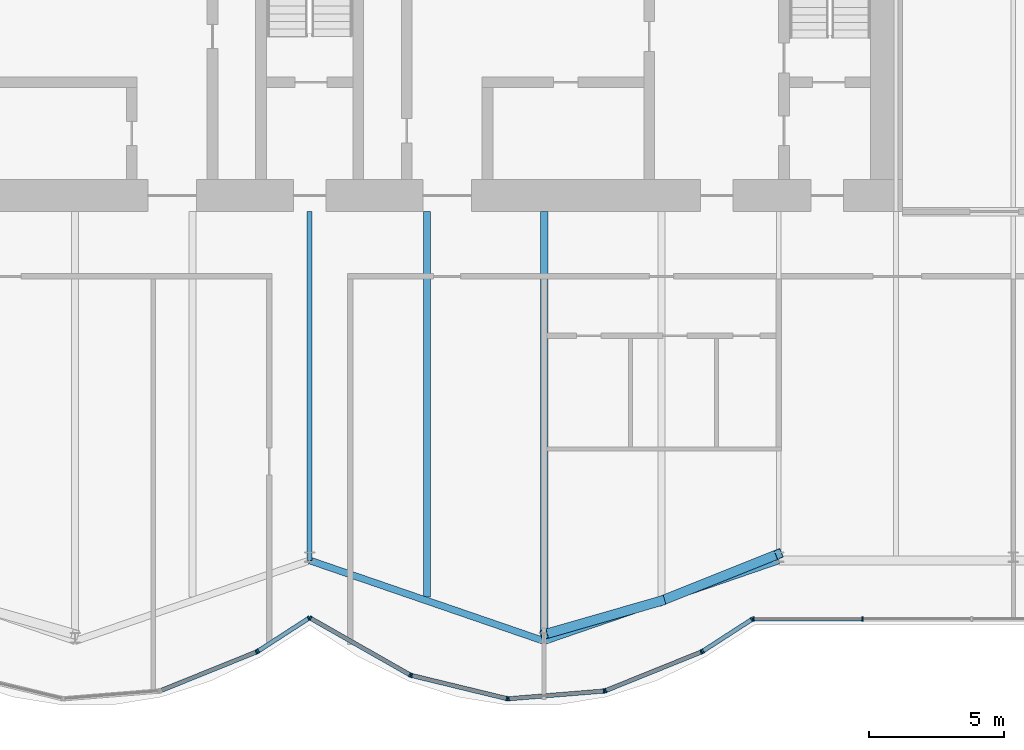
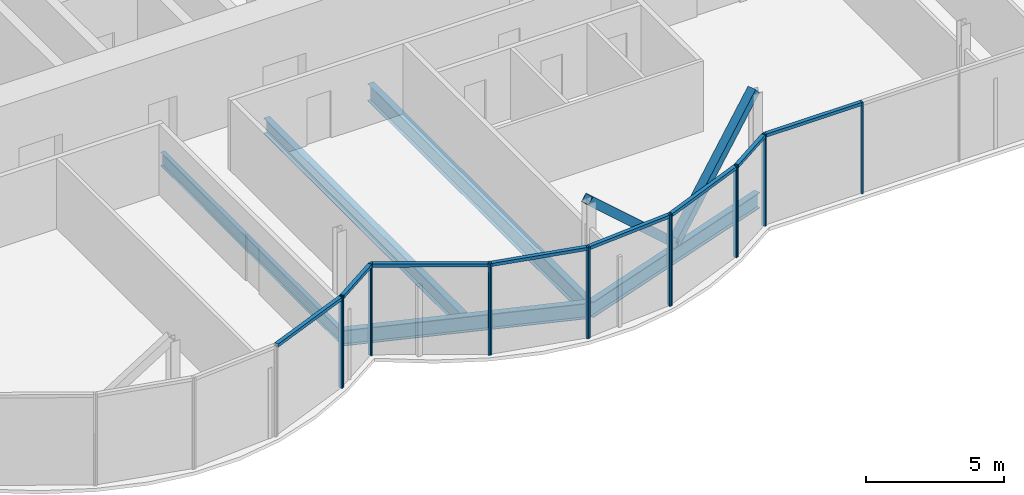
# One storey, part 8 of 19: 25 members, 5 beams, 3 elements without a shape of their own.
"""IFC4 building model written with IfcOpenShell, lengths in metres."""

import ifcopenshell
import ifcopenshell.guid

model = None  # the IFC model being written
_history = None  # IfcOwnerHistory: only IFC2X3 demands one
_inside = {}  # id of a spatial element -> (the spatial element, [elements in it])
_under = {}  # id of a project, library or spatial element -> (it, [spatial elements below it])
_declared = {}  # id of a project -> (the project, [libraries it declares])
_typed = {}  # id of a type object -> (the type object, [elements of that type])
_made_of = {}  # id of a material, layer set ... -> (it, [elements and type objects made of it])


def new_model(schema):
    """Start an empty IFC model of exactly this schema.

    Asked for "IFC4X3", IfcOpenShell would pick the latest addendum, in which some entities
    have other attributes; the version numbers below select the first issue.
    IFC2X3 requires an IfcOwnerHistory on every rooted entity: one is made here for all.
    """
    global model, _history
    if schema == "IFC4X3":
        model = ifcopenshell.file(schema_version=(4, 3, 0, 0))
    else:
        model = ifcopenshell.file(schema=schema)
    _inside.clear()
    _under.clear()
    _declared.clear()
    _typed.clear()
    _made_of.clear()
    _history = None
    if model.schema == "IFC2X3":
        org = make("IfcOrganization", Name="unknown")
        user = make(
            "IfcPersonAndOrganization",
            ThePerson=make("IfcPerson", FamilyName="unknown"),
            TheOrganization=org,
        )
        app = make(
            "IfcApplication",
            ApplicationDeveloper=org,
            Version="unknown",
            ApplicationFullName="unknown",
            ApplicationIdentifier="unknown",
        )
        _history = make(
            "IfcOwnerHistory",
            OwningUser=user,
            OwningApplication=app,
            ChangeAction="ADDED",
            CreationDate=0,
        )
    return model


def make(cls, **values):
    """One entity of the class cls with the attributes given. An attribute that is None is left unset."""
    return model.create_entity(
        cls, **{name: value for name, value in values.items() if value is not None}
    )


def rooted(cls, **values):
    """An entity with a GlobalId (a new one), such as an element, a storey or a relation."""
    return make(cls, GlobalId=ifcopenshell.guid.new(), OwnerHistory=_history, **values)


def si_unit(unit_type, name, prefix=None):
    """IfcSIUnit, for example si_unit("LENGTHUNIT", "METRE", prefix="MILLI")."""
    return make("IfcSIUnit", UnitType=unit_type, Prefix=prefix, Name=name)


def assignment(units):
    """IfcUnitAssignment: the units of a project."""
    return None if units is None else make("IfcUnitAssignment", Units=units)


def point(xyz):
    """IfcCartesianPoint."""
    return None if xyz is None else make("IfcCartesianPoint", Coordinates=xyz)


def direction(xyz):
    """IfcDirection."""
    return None if xyz is None else make("IfcDirection", DirectionRatios=xyz)


def frame(location, z_axis=None, x_axis=None):
    """IfcAxis2Placement3D, a coordinate frame: its origin and axes. An axis left out is left unset."""
    return make(
        "IfcAxis2Placement3D",
        Location=point(location),
        Axis=direction(z_axis),
        RefDirection=direction(x_axis),
    )


def frame_2d(location, x_axis=None):
    """IfcAxis2Placement2D, a coordinate frame in the plane: its origin and x axis."""
    return make(
        "IfcAxis2Placement2D", Location=point(location), RefDirection=direction(x_axis)
    )


def origin():
    """The frame at (0, 0, 0) with its axes left unset."""
    return frame((0.0, 0.0, 0.0))


def origin_2d():
    """The frame at (0, 0) in the plane with its x axis left unset."""
    return frame_2d((0.0, 0.0))


def place(relative_to, where):
    """IfcLocalPlacement: puts the frame where relative to a parent placement (None: the world)."""
    return make(
        "IfcLocalPlacement", PlacementRelTo=relative_to, RelativePlacement=where
    )


def context(
    kind, dimensions, precision=None, world=None, true_north=None, identifier=None
):
    """IfcGeometricRepresentationContext, for example the 3D "Model" context."""
    return make(
        "IfcGeometricRepresentationContext",
        ContextIdentifier=identifier,
        ContextType=kind,
        CoordinateSpaceDimension=dimensions,
        Precision=precision,
        WorldCoordinateSystem=world,
        TrueNorth=true_north,
    )


def subcontext(parent, identifier, kind, view, scale=None):
    """IfcGeometricRepresentationSubContext, for example "Body" below "Model"."""
    return make(
        "IfcGeometricRepresentationSubContext",
        ContextIdentifier=identifier,
        ContextType=kind,
        ParentContext=parent,
        TargetScale=scale,
        TargetView=view,
    )


def project(units=None, contexts=None):
    """IfcProject with its units and contexts."""
    return rooted(
        "IfcProject",
        Name="project",
        RepresentationContexts=contexts,
        UnitsInContext=assignment(units),
    )


def spatial(cls, under=None, at=None, **own):
    """A site, building, storey or space (cls), placed at a placement, below another one or the project."""
    s = rooted(cls, ObjectPlacement=at, **own)
    if under is not None:
        _under.setdefault(under.id(), (under, []))[1].append(s)
    return s


def profile(cls, at=None, kind="AREA", **sizes):
    """A parametric profile (cls). Its sizes go by their IFC names, for example OverallWidth=200.0."""
    return make(cls, ProfileType=kind, Position=at, **sizes)


def rectangle(**sizes):
    """IfcRectangleProfileDef."""
    return profile("IfcRectangleProfileDef", **sizes)


def hollow_rectangle(**sizes):
    """IfcRectangleHollowProfileDef."""
    return profile("IfcRectangleHollowProfileDef", **sizes)


def i_section(**sizes):
    """IfcIShapeProfileDef."""
    return profile("IfcIShapeProfileDef", **sizes)


def extrude(swept, where, along, depth):
    """IfcExtrudedAreaSolid: the profile swept, set in the frame where, extruded along a direction by depth."""
    return make(
        "IfcExtrudedAreaSolid",
        SweptArea=swept,
        Position=where,
        ExtrudedDirection=direction(along),
        Depth=depth,
    )


def shape(context_of_items, identifier, shape_type, items):
    """IfcShapeRepresentation: the items that make up one representation, for example the "Body"."""
    return make(
        "IfcShapeRepresentation",
        ContextOfItems=context_of_items,
        RepresentationIdentifier=identifier,
        RepresentationType=shape_type,
        Items=items,
    )


def material(Name=None, Category=None):
    """IfcMaterial."""
    return make("IfcMaterial", Name=Name, Category=Category)


def material_profile(
    of_material, cross_section, Name=None, Category=None, Priority=None
):
    """IfcMaterialProfile: a cross section and its material."""
    return make(
        "IfcMaterialProfile",
        Name=Name,
        Material=of_material,
        Profile=cross_section,
        Priority=Priority,
        Category=Category,
    )


def profile_set(profiles, Name=None, composite=None):
    """IfcMaterialProfileSet."""
    return make(
        "IfcMaterialProfileSet",
        Name=Name,
        MaterialProfiles=profiles,
        CompositeProfile=composite,
    )


def made_of(thing, what):
    """Note that an element or type object is made of a material, layer set ...; save() writes the relation."""
    if what is not None:
        _made_of.setdefault(what.id(), (what, []))[1].append(thing)
    return thing


def type_object(cls, material=None, **own):
    """A type object (cls), such as IfcWallType, which elements share."""
    return made_of(rooted(cls, **own), material)


def element(
    cls,
    number,
    at=None,
    inside=None,
    cuts=None,
    type_object=None,
    material=None,
    context=None,
    identifier="Body",
    shape_type=None,
    held_by="IfcProductDefinitionShape",
    body=None,
    shapes=None,
    **own,
):
    """One element of the class cls, such as IfcWall. Its Tag is "e" and its number.

    at: its placement. inside: the storey or other place that contains it. cuts: it is an
    opening in that element (IfcRelVoidsElement). A single representation is given by context,
    identifier, shape_type and body (its items); several are given by shapes. held_by: the class
    of the entity that holds the representations. save() writes the other relations.
    """
    e = rooted(cls, Tag="e%d" % number, ObjectPlacement=at, **own)
    if body is not None:
        shapes = [shape(context, identifier, shape_type, body)]
    if shapes is not None:
        e.Representation = make(held_by, Representations=shapes)
    if inside is not None:
        _inside.setdefault(inside.id(), (inside, []))[1].append(e)
    if cuts is not None:
        rooted(
            "IfcRelVoidsElement", RelatingBuildingElement=cuts, RelatedOpeningElement=e
        )
    if type_object is not None:
        _typed.setdefault(type_object.id(), (type_object, []))[1].append(e)
    return made_of(e, material)


def aggregate(whole, parts):
    """IfcRelAggregates: a whole, such as a stair, and the parts it consists of."""
    return rooted("IfcRelAggregates", RelatingObject=whole, RelatedObjects=parts)


def save(model, path):
    """Write the relations noted so far, then the file.

    IfcRelAggregates (storeys below a building ...), IfcRelContainedInSpatialStructure (elements
    in a storey), IfcRelDefinesByType, IfcRelAssociatesMaterial and IfcRelDeclares: one each for
    every whole, place, type object, material and project.
    """
    for whole, parts in _under.values():
        aggregate(whole, parts)
    for where, things in _inside.values():
        rooted(
            "IfcRelContainedInSpatialStructure",
            RelatedElements=things,
            RelatingStructure=where,
        )
    for kind, things in _typed.values():
        rooted("IfcRelDefinesByType", RelatedObjects=things, RelatingType=kind)
    for what, things in _made_of.values():
        rooted("IfcRelAssociatesMaterial", RelatedObjects=things, RelatingMaterial=what)
    for by, libraries in _declared.values():
        rooted("IfcRelDeclares", RelatingContext=by, RelatedDefinitions=libraries)
    model.write(path)


model = new_model("IFC4")

# Units and contexts
model_context = context("Model", 3, precision=1e-05, world=origin(), true_north=direction((0.0, 1.0)))
body_context = subcontext(model_context, "Body", "Model", "MODEL_VIEW")
ifc_project = project(units=[si_unit("LENGTHUNIT", "METRE"), si_unit("AREAUNIT", "SQUARE_METRE"), si_unit("VOLUMEUNIT", "CUBIC_METRE"), si_unit("PLANEANGLEUNIT", "RADIAN"), si_unit("MASSUNIT", "GRAM", prefix="KILO")], contexts=[model_context])

# Site, building, storey
site_placement = place(None, origin())
site = spatial("IfcSite", under=ifc_project, at=site_placement, CompositionType="ELEMENT")
building_placement = place(site_placement, origin())
building = spatial("IfcBuilding", under=site, at=building_placement, Name="Bicima Exchange Tower", CompositionType="ELEMENT")
storey_placement = place(building_placement, frame((0.0, 0.0, 275.0)))
storey = spatial("IfcBuildingStorey", under=building, at=storey_placement, Name="L62", CompositionType="ELEMENT", Elevation=275.0)

# Beams
ifc_material_1 = material(Name="Steel ASTM A992 Gr 50", Category="steel")
ifc_material_profile_1 = material_profile(ifc_material_1, i_section(OverallWidth=0.177978515625, OverallDepth=0.599365234375, WebThickness=0.010009765625, FlangeThickness=0.012939453125, at=origin_2d()))
ifc_profile_set_1 = profile_set([ifc_material_profile_1], Name="Steel ASTM A992 Gr 50")
beam_type_1 = type_object("IfcBeamType", Name="Floor beam W24x55", PredefinedType="JOIST", material=ifc_profile_set_1)
beam_1_placement = place(storey_placement, frame((0.0, -13.0, -0.44970703125), z_axis=(0.0, -1.0, 0.0), x_axis=(1.0, 0.0, 0.0)))
element("IfcBeam", 1, at=beam_1_placement, inside=storey, type_object=beam_type_1, Name="Floor beam", PredefinedType="JOIST", context=body_context, shape_type="SweptSolid", body=[
    extrude(i_section(OverallWidth=0.177978515625, OverallDepth=0.599365234375, WebThickness=0.010009765625, FlangeThickness=0.012939453125, at=origin_2d()), origin(), (0.0, 0.0, 1.0), 12.93603515625),
])
ifc_material_profile_2 = material_profile(ifc_material_1, i_section(OverallWidth=0.25390625, OverallDepth=0.67822265625, WebThickness=0.01171875, FlangeThickness=0.016357421875, at=origin_2d()))
ifc_profile_set_2 = profile_set([ifc_material_profile_2], Name="Steel ASTM A992 Gr 50")
beam_type_2 = type_object("IfcBeamType", Name="Floor beam W27x84", PredefinedType="JOIST", material=ifc_profile_set_2)
beam_2_placement = place(storey_placement, frame((4.35009765625, -13.0, -0.489013671875), z_axis=(0.0, -1.0, 0.0), x_axis=(1.0, 0.0, 0.0)))
element("IfcBeam", 2, at=beam_2_placement, inside=storey, type_object=beam_type_2, Name="Floor beam", PredefinedType="JOIST", context=body_context, shape_type="SweptSolid", body=[
    extrude(i_section(OverallWidth=0.25390625, OverallDepth=0.67822265625, WebThickness=0.01171875, FlangeThickness=0.016357421875, at=origin_2d()), origin(), (0.0, 0.0, 1.0), 14.2958984375),
])
ifc_material_profile_3 = material_profile(ifc_material_1, i_section(OverallWidth=0.2666015625, OverallDepth=0.75439453125, WebThickness=0.01318359375, FlangeThickness=0.01708984375, at=origin_2d()))
ifc_profile_set_3 = profile_set([ifc_material_profile_3], Name="Steel ASTM A992 Gr 50")
beam_type_3 = type_object("IfcBeamType", Name="Floor beam W30x99", PredefinedType="JOIST", material=ifc_profile_set_3)
beam_3_placement = place(storey_placement, frame((8.699951171875, -13.0, -0.527099609375), z_axis=(0.0, -1.0, 0.0), x_axis=(1.0, 0.0, 0.0)))
element("IfcBeam", 3, at=beam_3_placement, inside=storey, type_object=beam_type_3, Name="Floor beam", PredefinedType="JOIST", context=body_context, shape_type="SweptSolid", body=[
    extrude(i_section(OverallWidth=0.2666015625, OverallDepth=0.75439453125, WebThickness=0.01318359375, FlangeThickness=0.01708984375, at=origin_2d()), origin(), (0.0, 0.0, 1.0), 15.79150390625),
])
ifc_material_profile_4 = material_profile(ifc_material_1, i_section(OverallWidth=0.256591796875, OverallDepth=0.693359375, WebThickness=0.014404296875, FlangeThickness=0.023681640625, at=origin_2d()))
ifc_profile_set_4 = profile_set([ifc_material_profile_4], Name="Steel ASTM A992 Gr 50")
beam_type_4 = type_object("IfcBeamType", Name="Front girder W27x114", PredefinedType="BEAM", material=ifc_profile_set_4)
for number, where, z_axis, x_axis, name in (
    (4, (0.0, -25.93603515625, -0.49658203125), (0.945674616091, -0.32511462668, 0.0), (0.32511462668, 0.945674616091, 0.0), "Front girder"),
    (5, (8.699951171875, -28.927001953125, -0.49658203125), (0.945674616091, 0.32511462668, 0.0), (-0.32511462668, 0.945674616091, 0.0), "Front girder"),
):
    element("IfcBeam", number, at=place(storey_placement, frame(where, z_axis=z_axis, x_axis=x_axis)), inside=storey, type_object=beam_type_4, Name=name, PredefinedType="BEAM", context=body_context, shape_type="SweptSolid", body=[
        extrude(i_section(OverallWidth=0.256591796875, OverallDepth=0.693359375, WebThickness=0.014404296875, FlangeThickness=0.023681640625, at=origin_2d()), origin(), (0.0, 0.0, 1.0), 9.19970703125),
    ])

# Curtain wall, members
ifc_material_2 = material(Name="Anodised bronze aluminium", Category="aluminium")
curtain_wall_type = type_object("IfcCurtainWallType", Name="Front glass wall", PredefinedType="NOTDEFINED", material=ifc_material_2)
curtain_wall_1_placement = place(storey_placement, origin())
curtain_wall_1 = element("IfcCurtainWall", 6, at=curtain_wall_1_placement, inside=storey, type_object=curtain_wall_type, Name="Front glass wall L62 run 6", PredefinedType="NOTDEFINED")
ifc_material_profile_5 = material_profile(ifc_material_2, rectangle(XDim=0.159912109375, YDim=0.06005859375, at=origin_2d()))
ifc_profile_set_5 = profile_set([ifc_material_profile_5], Name="Anodised bronze aluminium")
member_type_1 = type_object("IfcMemberType", Name="Front glass wall mullion 60 x 160", PredefinedType="MULLION", material=ifc_profile_set_5)
member_1_placement = place(storey_placement, frame((-1.97412109375, -29.33154296875, 0.0), z_axis=(0.0, 0.0, 1.0), x_axis=(-0.374705304, 0.92714396679, 0.0)))
member_1 = element("IfcMember", 7, at=member_1_placement, type_object=member_type_1, Name="Front glass wall mullion 2", PredefinedType="MULLION", context=body_context, shape_type="SweptSolid", body=[
    extrude(rectangle(XDim=0.159912109375, YDim=0.06005859375, at=origin_2d()), origin(), (0.0, 0.0, 1.0), 4.050048828125),
])
member_2_placement = place(storey_placement, frame((-1.921142578125, -29.30419921875, 0.0), z_axis=(0.0, 0.0, 1.0), x_axis=(-0.542897457326, 0.839798994301, 0.0)))
member_2 = element("IfcMember", 8, at=member_2_placement, type_object=member_type_1, Name="Front glass wall mullion 1", PredefinedType="MULLION", context=body_context, shape_type="SweptSolid", body=[
    extrude(rectangle(XDim=0.159912109375, YDim=0.06005859375, at=origin_2d()), origin(), (0.0, 0.0, 1.0), 4.050048828125),
])
member_3_placement = place(storey_placement, frame((-0.025146484375, -28.078369140625, 0.0), z_axis=(0.0, 0.0, 1.0), x_axis=(-0.542897457326, 0.839798994301, 0.0)))
member_3 = element("IfcMember", 9, at=member_3_placement, type_object=member_type_1, Name="Front glass wall mullion 2", PredefinedType="MULLION", context=body_context, shape_type="SweptSolid", body=[
    extrude(rectangle(XDim=0.159912109375, YDim=0.06005859375, at=origin_2d()), origin(), (0.0, 0.0, 1.0), 4.050048828125),
])

curtain_wall_2_placement = place(storey_placement, origin())
curtain_wall_2 = element("IfcCurtainWall", 10, at=curtain_wall_2_placement, inside=storey, type_object=curtain_wall_type, Name="Front glass wall L62 run 11", PredefinedType="NOTDEFINED")
member_4_placement = place(storey_placement, frame((0.026123046875, -28.076904296875, 0.0), z_axis=(0.0, 0.0, 1.0), x_axis=(0.494330311331, 0.869274147378, 0.0)))
member_4 = element("IfcMember", 11, at=member_4_placement, type_object=member_type_1, Name="Front glass wall mullion 1", PredefinedType="MULLION", context=body_context, shape_type="SweptSolid", body=[
    extrude(rectangle(XDim=0.159912109375, YDim=0.06005859375, at=origin_2d()), origin(), (0.0, 0.0, 1.0), 4.050048828125),
])
member_5_placement = place(storey_placement, frame((3.7265625, -30.181396484375, 0.0), z_axis=(0.0, 0.0, 1.0), x_axis=(0.494330311331, 0.869274147378, 0.0)))
member_5 = element("IfcMember", 12, at=member_5_placement, type_object=member_type_1, Name="Front glass wall mullion 2", PredefinedType="MULLION", context=body_context, shape_type="SweptSolid", body=[
    extrude(rectangle(XDim=0.159912109375, YDim=0.06005859375, at=origin_2d()), origin(), (0.0, 0.0, 1.0), 4.050048828125),
])
member_6_placement = place(storey_placement, frame((3.781982421875, -30.203369140625, 0.0), z_axis=(0.0, 0.0, 1.0), x_axis=(0.235681529503, 0.971830343553, 0.0)))
member_6 = element("IfcMember", 13, at=member_6_placement, type_object=member_type_1, Name="Front glass wall mullion 1", PredefinedType="MULLION", context=body_context, shape_type="SweptSolid", body=[
    extrude(rectangle(XDim=0.159912109375, YDim=0.06005859375, at=origin_2d()), origin(), (0.0, 0.0, 1.0), 4.050048828125),
])
member_7_placement = place(storey_placement, frame((7.322509765625, -31.06201171875, 0.0), z_axis=(0.0, 0.0, 1.0), x_axis=(0.235681529503, 0.971830343553, 0.0)))
member_7 = element("IfcMember", 14, at=member_7_placement, type_object=member_type_1, Name="Front glass wall mullion 2", PredefinedType="MULLION", context=body_context, shape_type="SweptSolid", body=[
    extrude(rectangle(XDim=0.159912109375, YDim=0.06005859375, at=origin_2d()), origin(), (0.0, 0.0, 1.0), 4.050048828125),
])
member_8_placement = place(storey_placement, frame((7.381591796875, -31.066650390625, 0.0), z_axis=(0.0, 0.0, 1.0), x_axis=(-0.080588612633, 0.99674744821, 0.0)))
member_8 = element("IfcMember", 15, at=member_8_placement, type_object=member_type_1, Name="Front glass wall mullion 1", PredefinedType="MULLION", context=body_context, shape_type="SweptSolid", body=[
    extrude(rectangle(XDim=0.159912109375, YDim=0.06005859375, at=origin_2d()), origin(), (0.0, 0.0, 1.0), 4.050048828125),
])
member_9_placement = place(storey_placement, frame((10.916015625, -30.78076171875, 0.0), z_axis=(0.0, 0.0, 1.0), x_axis=(-0.080588612633, 0.99674744821, 0.0)))
member_9 = element("IfcMember", 16, at=member_9_placement, type_object=member_type_1, Name="Front glass wall mullion 2", PredefinedType="MULLION", context=body_context, shape_type="SweptSolid", body=[
    extrude(rectangle(XDim=0.159912109375, YDim=0.06005859375, at=origin_2d()), origin(), (0.0, 0.0, 1.0), 4.050048828125),
])
member_10_placement = place(storey_placement, frame((10.973876953125, -30.76708984375, 0.0), z_axis=(0.0, 0.0, 1.0), x_axis=(-0.374705304, 0.92714396679, 0.0)))
member_10 = element("IfcMember", 17, at=member_10_placement, type_object=member_type_1, Name="Front glass wall mullion 1", PredefinedType="MULLION", context=body_context, shape_type="SweptSolid", body=[
    extrude(rectangle(XDim=0.159912109375, YDim=0.06005859375, at=origin_2d()), origin(), (0.0, 0.0, 1.0), 4.050048828125),
])
member_11_placement = place(storey_placement, frame((14.52587890625, -29.33154296875, 0.0), z_axis=(0.0, 0.0, 1.0), x_axis=(-0.374705304, 0.92714396679, 0.0)))
member_11 = element("IfcMember", 18, at=member_11_placement, type_object=member_type_1, Name="Front glass wall mullion 2", PredefinedType="MULLION", context=body_context, shape_type="SweptSolid", body=[
    extrude(rectangle(XDim=0.159912109375, YDim=0.06005859375, at=origin_2d()), origin(), (0.0, 0.0, 1.0), 4.050048828125),
])
member_12_placement = place(storey_placement, frame((14.578857421875, -29.30419921875, 0.0), z_axis=(0.0, 0.0, 1.0), x_axis=(-0.542909183079, 0.839791413941, 0.0)))
member_12 = element("IfcMember", 19, at=member_12_placement, type_object=member_type_1, Name="Front glass wall mullion 1", PredefinedType="MULLION", context=body_context, shape_type="SweptSolid", body=[
    extrude(rectangle(XDim=0.159912109375, YDim=0.06005859375, at=origin_2d()), origin(), (0.0, 0.0, 1.0), 4.050048828125),
])
member_13_placement = place(storey_placement, frame((16.406982421875, -28.122314453125, 0.0), z_axis=(0.0, 0.0, 1.0), x_axis=(-0.542909183079, 0.839791413941, 0.0)))
member_13 = element("IfcMember", 20, at=member_13_placement, type_object=member_type_1, Name="Front glass wall mullion 2", PredefinedType="MULLION", context=body_context, shape_type="SweptSolid", body=[
    extrude(rectangle(XDim=0.159912109375, YDim=0.06005859375, at=origin_2d()), origin(), (0.0, 0.0, 1.0), 4.050048828125),
])

curtain_wall_3_placement = place(storey_placement, origin())
curtain_wall_3 = element("IfcCurtainWall", 21, at=curtain_wall_3_placement, inside=storey, type_object=curtain_wall_type, Name="Front glass wall L62 run 16", PredefinedType="NOTDEFINED")
member_14_placement = place(storey_placement, frame((16.462158203125, -28.10595703125, 0.0), z_axis=(0.0, 0.0, 1.0), x_axis=(0.0, 1.0, 0.0)))
member_14 = element("IfcMember", 22, at=member_14_placement, type_object=member_type_1, Name="Front glass wall mullion 1", PredefinedType="MULLION", context=body_context, shape_type="SweptSolid", body=[
    extrude(rectangle(XDim=0.159912109375, YDim=0.06005859375, at=origin_2d()), origin(), (0.0, 0.0, 1.0), 4.050048828125),
])
member_15_placement = place(storey_placement, frame((20.51171875, -28.10595703125, 0.0), z_axis=(0.0, 0.0, 1.0), x_axis=(0.0, 1.0, 0.0)))
member_15 = element("IfcMember", 23, at=member_15_placement, type_object=member_type_1, Name="Front glass wall mullion 2", PredefinedType="MULLION", context=body_context, shape_type="SweptSolid", body=[
    extrude(rectangle(XDim=0.159912109375, YDim=0.06005859375, at=origin_2d()), origin(), (0.0, 0.0, 1.0), 4.050048828125),
])

# Member
ifc_material_profile_6 = material_profile(ifc_material_2, rectangle(XDim=0.159912109375, YDim=0.139892578125, at=origin_2d()))
ifc_profile_set_6 = profile_set([ifc_material_profile_6], Name="Anodised bronze aluminium")
member_type_2 = type_object("IfcMemberType", Name="Front glass wall transom 140 x 160", PredefinedType="USERDEFINED", material=ifc_profile_set_6)
member_16_placement = place(storey_placement, frame((-5.498291015625, -30.755859375, 3.97998046875), z_axis=(0.927140215882, 0.374714584842, 0.0), x_axis=(-0.374714584842, 0.927140215882, 0.0)))
member_16 = element("IfcMember", 24, at=member_16_placement, type_object=member_type_2, Name="Front glass wall transom 1.1", ObjectType="TRANSOM", PredefinedType="USERDEFINED", context=body_context, shape_type="SweptSolid", body=[
    extrude(rectangle(XDim=0.159912109375, YDim=0.139892578125, at=origin_2d()), origin(), (0.0, 0.0, 1.0), 3.77099609375),
])

member_17_placement = place(storey_placement, frame((-1.89599609375, -29.287841796875, 3.97998046875), z_axis=(0.839811483481, 0.542878137536, 0.0), x_axis=(-0.542878137536, 0.839811483481, 0.0)))
member_17 = element("IfcMember", 25, at=member_17_placement, type_object=member_type_2, Name="Front glass wall transom 1.1", ObjectType="TRANSOM", PredefinedType="USERDEFINED", context=body_context, shape_type="SweptSolid", body=[
    extrude(rectangle(XDim=0.159912109375, YDim=0.139892578125, at=origin_2d()), origin(), (0.0, 0.0, 1.0), 2.19775390625),
])

aggregate(curtain_wall_1, [member_1, member_16, member_2, member_3, member_17])

member_18_placement = place(storey_placement, frame((0.05224609375, -28.091796875, 3.97998046875), z_axis=(0.869265121745, -0.494346182466, 0.0), x_axis=(0.494346182466, 0.869265121745, 0.0)))
member_18 = element("IfcMember", 26, at=member_18_placement, type_object=member_type_2, Name="Front glass wall transom 1.1", ObjectType="TRANSOM", PredefinedType="USERDEFINED", context=body_context, shape_type="SweptSolid", body=[
    extrude(rectangle(XDim=0.159912109375, YDim=0.139892578125, at=origin_2d()), origin(), (0.0, 0.0, 1.0), 4.19677734375),
])

member_19_placement = place(storey_placement, frame((3.81103515625, -30.210205078125, 3.97998046875), z_axis=(0.971817951661, -0.235732621477, 0.0), x_axis=(0.235732621477, 0.971817951661, 0.0)))
member_19 = element("IfcMember", 27, at=member_19_placement, type_object=member_type_2, Name="Front glass wall transom 1.1", ObjectType="TRANSOM", PredefinedType="USERDEFINED", context=body_context, shape_type="SweptSolid", body=[
    extrude(rectangle(XDim=0.159912109375, YDim=0.139892578125, at=origin_2d()), origin(), (0.0, 0.0, 1.0), 3.58349609375),
])

member_20_placement = place(storey_placement, frame((7.41162109375, -31.064208984375, 3.97998046875), z_axis=(0.9967456465, 0.080610893699, 0.0), x_axis=(-0.080610893699, 0.9967456465, 0.0)))
member_20 = element("IfcMember", 28, at=member_20_placement, type_object=member_type_2, Name="Front glass wall transom 1.1", ObjectType="TRANSOM", PredefinedType="USERDEFINED", context=body_context, shape_type="SweptSolid", body=[
    extrude(rectangle(XDim=0.159912109375, YDim=0.139892578125, at=origin_2d()), origin(), (0.0, 0.0, 1.0), 3.48583984375),
])

member_21_placement = place(storey_placement, frame((11.001708984375, -30.755859375, 3.97998046875), z_axis=(0.927140215882, 0.374714584842, 0.0), x_axis=(-0.374714584842, 0.927140215882, 0.0)))
member_21 = element("IfcMember", 29, at=member_21_placement, type_object=member_type_2, Name="Front glass wall transom 1.1", ObjectType="TRANSOM", PredefinedType="USERDEFINED", context=body_context, shape_type="SweptSolid", body=[
    extrude(rectangle(XDim=0.159912109375, YDim=0.139892578125, at=origin_2d()), origin(), (0.0, 0.0, 1.0), 3.77099609375),
])

member_22_placement = place(storey_placement, frame((14.60400390625, -29.287841796875, 3.97998046875), z_axis=(0.839792890287, 0.542906899407, 0.0), x_axis=(-0.542906899407, 0.839792890287, 0.0)))
member_22 = element("IfcMember", 30, at=member_22_placement, type_object=member_type_2, Name="Front glass wall transom 1.1", ObjectType="TRANSOM", PredefinedType="USERDEFINED", context=body_context, shape_type="SweptSolid", body=[
    extrude(rectangle(XDim=0.159912109375, YDim=0.139892578125, at=origin_2d()), origin(), (0.0, 0.0, 1.0), 2.11669921875),
])

aggregate(curtain_wall_2, [member_4, member_5, member_18, member_6, member_7, member_19, member_8, member_9, member_20, member_10, member_11, member_21, member_12, member_13, member_22])

member_23_placement = place(storey_placement, frame((16.4921875, -28.10595703125, 3.97998046875), z_axis=(1.0, 0.0, 0.0), x_axis=(0.0, 1.0, 0.0)))
member_23 = element("IfcMember", 31, at=member_23_placement, type_object=member_type_2, Name="Front glass wall transom 1.1", ObjectType="TRANSOM", PredefinedType="USERDEFINED", context=body_context, shape_type="SweptSolid", body=[
    extrude(rectangle(XDim=0.159912109375, YDim=0.139892578125, at=origin_2d()), origin(), (0.0, 0.0, 1.0), 3.989501953125),
])

aggregate(curtain_wall_3, [member_14, member_15, member_23])

# Members
ifc_material_3 = material(Name="Steel ASTM A572 Gr 50", Category="steel")
ifc_material_profile_7 = material_profile(ifc_material_3, hollow_rectangle(XDim=0.355712890625, YDim=0.355712890625, WallThickness=0.0146484375, at=origin_2d()))
ifc_profile_set_7 = profile_set([ifc_material_profile_7], Name="Steel ASTM A572 Gr 50")
member_type_3 = type_object("IfcMemberType", Name="Mega brace HSS14x14x5/8", PredefinedType="BRACE", material=ifc_profile_set_7)
member_24_placement = place(storey_placement, frame((13.050048828125, -27.431396484375, 0.0), z_axis=(0.691353360339, 0.276471498704, 0.667528307679), x_axis=(-0.371309808925, 0.928509033772, 0.0)))
element("IfcMember", 32, at=member_24_placement, inside=storey, type_object=member_type_3, Name="Mega brace front", PredefinedType="BRACE", context=body_context, shape_type="SweptSolid", body=[
    extrude(hollow_rectangle(XDim=0.355712890625, YDim=0.355712890625, WallThickness=0.0146484375, at=origin_2d()), origin(), (0.0, 0.0, 1.0), 6.291748046875),
])
member_25_placement = place(storey_placement, frame((13.050048828125, -27.431396484375, 0.0), z_axis=(-0.704477663836, -0.202708327674, 0.680162153495), x_axis=(0.276522876258, -0.961007335511, 0.0)))
element("IfcMember", 33, at=member_25_placement, inside=storey, type_object=member_type_3, Name="Mega brace front", PredefinedType="BRACE", context=body_context, shape_type="SweptSolid", body=[
    extrude(hollow_rectangle(XDim=0.355712890625, YDim=0.355712890625, WallThickness=0.0146484375, at=origin_2d()), origin(), (0.0, 0.0, 1.0), 6.1748046875),
])

save(model, "model.ifc")
